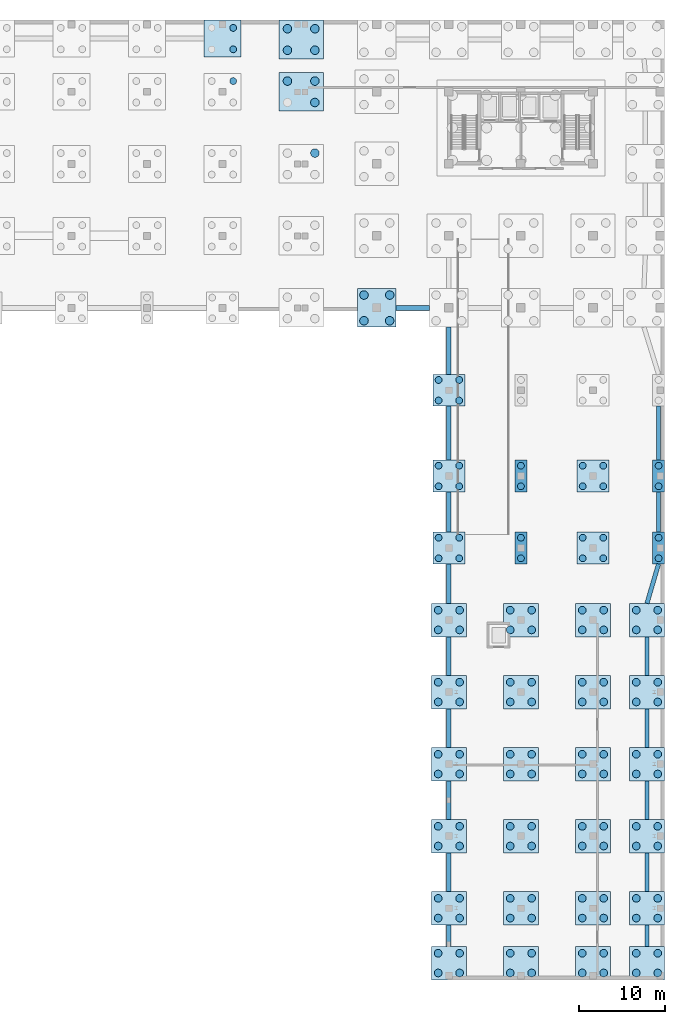
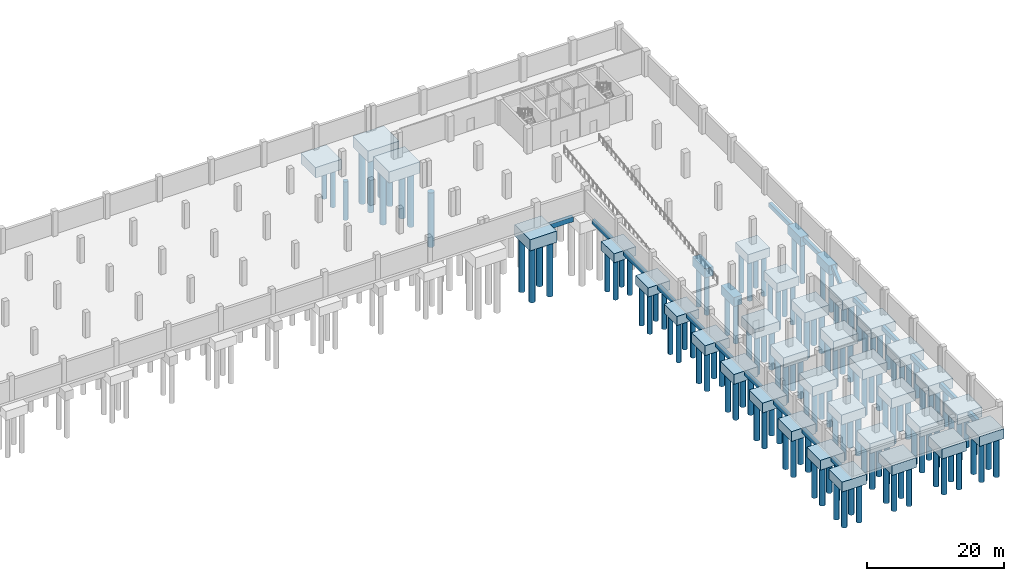
# One storey, part 3 of 18: 139 piles, 55 footings.
"""IFC4 building model written with IfcOpenShell, lengths in metres."""

from ifc_helpers import new_model, si_unit, direction, frame, origin, origin_2d, place, context, subcontext, project, spatial, rectangle, circle, extrude, material, material_profile, profile_set, type_object, element, save


model = new_model("IFC4")

# Units and contexts
model_context = context("Model", 3, precision=1e-05, world=origin(), true_north=direction((0.0, 1.0)))
body_context = subcontext(model_context, "Body", "Model", "MODEL_VIEW")
ifc_project = project(units=[si_unit("LENGTHUNIT", "METRE"), si_unit("AREAUNIT", "SQUARE_METRE"), si_unit("VOLUMEUNIT", "CUBIC_METRE"), si_unit("PLANEANGLEUNIT", "RADIAN"), si_unit("MASSUNIT", "GRAM", prefix="KILO")], contexts=[model_context])

# Site, building, storey
site_placement = place(None, origin())
site = spatial("IfcSite", under=ifc_project, at=site_placement, CompositionType="ELEMENT")
building_placement = place(site_placement, origin())
building = spatial("IfcBuilding", under=site, at=building_placement, Name="Brinegate Botanical Conservatory", CompositionType="ELEMENT")
storey_placement = place(building_placement, frame((0.0, 0.0, -9.60009765625)))
storey = spatial("IfcBuildingStorey", under=building, at=storey_placement, Name="B2", CompositionType="ELEMENT", Elevation=-9.60009765625)

# Footings
ifc_material = material(Name="Concrete C40/50", Category="concrete")
ifc_material_profile_1 = material_profile(ifc_material, rectangle(XDim=0.60009765625, YDim=0.89990234375, at=origin_2d()), Name="RC GB 600x900")
ifc_profile_set_1 = profile_set([ifc_material_profile_1], Name="Concrete C40/50")
footing_type_1 = type_object("IfcFootingType", Name="Footing_FB-01", PredefinedType="FOOTING_BEAM", material=ifc_profile_set_1)
footing_1_placement = place(storey_placement, frame((132.64990234375, 78.39990234375, -0.849853515625), z_axis=(1.0, 0.0, 0.0), x_axis=(0.0, 1.0, 0.0)))
element("IfcFooting", 1, at=footing_1_placement, inside=storey, type_object=footing_type_1, Name="Foundation tie beam K:17-18", PredefinedType="FOOTING_BEAM", context=body_context, shape_type="SweptSolid", body=[
    extrude(rectangle(XDim=0.60009765625, YDim=0.89990234375, at=origin_2d()), origin(), (0.0, 0.0, 1.0), 3.900146484375),
])
ifc_material_profile_2 = material_profile(ifc_material, rectangle(XDim=0.5, YDim=0.800048828125, at=origin_2d()), Name="RC GB 500x800")
ifc_profile_set_2 = profile_set([ifc_material_profile_2], Name="Concrete C40/50")
footing_type_2 = type_object("IfcFootingType", Name="Footing_FB-02", PredefinedType="FOOTING_BEAM", material=ifc_profile_set_2)
footing_2_placement = place(storey_placement, frame((138.800048828125, 3.949951171875, -0.7998046875), z_axis=(0.0, 1.0, 0.0), x_axis=(-1.0, 0.0, 0.0)))
element("IfcFooting", 2, at=footing_2_placement, inside=storey, type_object=footing_type_2, Name="Foundation tie beam 18:A-B", PredefinedType="FOOTING_BEAM", context=body_context, shape_type="SweptSolid", body=[
    extrude(rectangle(XDim=0.5, YDim=0.800048828125, at=origin_2d()), origin(), (0.0, 0.0, 1.0), 2.5),
])
for number, where, z_axis, x_axis, name in (
    (3, (138.800048828125, 10.35009765625, -0.7998046875), (0.0, 1.0, 0.0), (-1.0, 0.0, 0.0), "Foundation tie beam 18:B-C"),
    (4, (138.800048828125, 18.75, -0.7998046875), (0.0, 1.0, 0.0), (-1.0, 0.0, 0.0), "Foundation tie beam 18:C-D"),
    (5, (138.800048828125, 27.14990234375, -0.7998046875), (0.0, 1.0, 0.0), (-1.0, 0.0, 0.0), "Foundation tie beam 18:D-E"),
    (6, (138.800048828125, 35.550048828125, -0.7998046875), (0.0, 1.0, 0.0), (-1.0, 0.0, 0.0), "Foundation tie beam 18:E-F"),
):
    element("IfcFooting", number, at=place(storey_placement, frame(where, z_axis=z_axis, x_axis=x_axis)), inside=storey, type_object=footing_type_2, Name=name, PredefinedType="FOOTING_BEAM", context=body_context, shape_type="SweptSolid", body=[
        extrude(rectangle(XDim=0.5, YDim=0.800048828125, at=origin_2d()), origin(), (0.0, 0.0, 1.0), 4.5),
    ])
footing_3_placement = place(storey_placement, frame((138.800048828125, 43.949951171875, -0.7998046875), z_axis=(0.0, 1.0, 0.0), x_axis=(-1.0, 0.0, 0.0)))
element("IfcFooting", 7, at=footing_3_placement, inside=storey, type_object=footing_type_2, Name="Foundation tie beam 18:F-G", PredefinedType="FOOTING_BEAM", context=body_context, shape_type="SweptSolid", body=[
    extrude(rectangle(XDim=0.5, YDim=0.800048828125, at=origin_2d()), origin(), (0.0, 0.0, 1.0), 4.60009765625),
])
footing_4_placement = place(storey_placement, frame((138.800048828125, 52.25, -0.7998046875), z_axis=(0.0, 1.0, 0.0), x_axis=(-1.0, 0.0, 0.0)))
element("IfcFooting", 8, at=footing_4_placement, inside=storey, type_object=footing_type_2, Name="Foundation tie beam 18:G-H", PredefinedType="FOOTING_BEAM", context=body_context, shape_type="SweptSolid", body=[
    extrude(rectangle(XDim=0.5, YDim=0.800048828125, at=origin_2d()), origin(), (0.0, 0.0, 1.0), 4.699951171875),
])
footing_5_placement = place(storey_placement, frame((138.800048828125, 60.64990234375, -0.7998046875), z_axis=(0.0, 1.0, 0.0), x_axis=(-1.0, 0.0, 0.0)))
element("IfcFooting", 9, at=footing_5_placement, inside=storey, type_object=footing_type_2, Name="Foundation tie beam 18:H-J", PredefinedType="FOOTING_BEAM", context=body_context, shape_type="SweptSolid", body=[
    extrude(rectangle(XDim=0.5, YDim=0.800048828125, at=origin_2d()), origin(), (0.0, 0.0, 1.0), 6.300048828125),
])
footing_6_placement = place(storey_placement, frame((138.800048828125, 70.64990234375, -0.7998046875), z_axis=(0.0, 1.0, 0.0), x_axis=(-1.0, 0.0, 0.0)))
element("IfcFooting", 10, at=footing_6_placement, inside=storey, type_object=footing_type_2, Name="Foundation tie beam 18:J-K", PredefinedType="FOOTING_BEAM", context=body_context, shape_type="SweptSolid", body=[
    extrude(rectangle(XDim=0.5, YDim=0.800048828125, at=origin_2d()), origin(), (0.0, 0.0, 1.0), 5.5),
])
footing_7_placement = place(storey_placement, frame((161.89990234375, 3.949951171875, -0.7998046875), z_axis=(0.0, 1.0, 0.0), x_axis=(-1.0, 0.0, 0.0)))
element("IfcFooting", 11, at=footing_7_placement, inside=storey, type_object=footing_type_2, Name="Foundation tie beam 21:A-B", PredefinedType="FOOTING_BEAM", context=body_context, shape_type="SweptSolid", body=[
    extrude(rectangle(XDim=0.5, YDim=0.800048828125, at=origin_2d()), origin(), (0.0, 0.0, 1.0), 2.5),
])
for number, where, z_axis, x_axis, name in (
    (12, (161.89990234375, 10.35009765625, -0.7998046875), (0.0, 1.0, 0.0), (-1.0, 0.0, 0.0), "Foundation tie beam 21:B-C"),
    (13, (161.89990234375, 18.75, -0.7998046875), (0.0, 1.0, 0.0), (-1.0, 0.0, 0.0), "Foundation tie beam 21:C-D"),
    (14, (161.89990234375, 27.14990234375, -0.7998046875), (0.0, 1.0, 0.0), (-1.0, 0.0, 0.0), "Foundation tie beam 21:D-E"),
    (15, (161.89990234375, 35.550048828125, -0.7998046875), (0.0, 1.0, 0.0), (-1.0, 0.0, 0.0), "Foundation tie beam 21:E-F"),
):
    element("IfcFooting", number, at=place(storey_placement, frame(where, z_axis=z_axis, x_axis=x_axis)), inside=storey, type_object=footing_type_2, Name=name, PredefinedType="FOOTING_BEAM", context=body_context, shape_type="SweptSolid", body=[
        extrude(rectangle(XDim=0.5, YDim=0.800048828125, at=origin_2d()), origin(), (0.0, 0.0, 1.0), 4.5),
    ])
footing_8_placement = place(storey_placement, frame((161.89990234375, 43.949951171875, -0.7998046875), z_axis=(0.281614860947, 0.959527524406, 0.0), x_axis=(-0.959527524406, 0.281614860947, 0.0)))
element("IfcFooting", 16, at=footing_8_placement, inside=storey, type_object=footing_type_2, Name="Foundation tie beam 21:F-G", PredefinedType="FOOTING_BEAM", context=body_context, shape_type="SweptSolid", body=[
    extrude(rectangle(XDim=0.5, YDim=0.800048828125, at=origin_2d()), origin(), (0.0, 0.0, 1.0), 4.794189453125),
])
footing_9_placement = place(storey_placement, frame((163.25, 52.25, -0.7998046875), z_axis=(0.0, 1.0, 0.0), x_axis=(-1.0, 0.0, 0.0)))
element("IfcFooting", 17, at=footing_9_placement, inside=storey, type_object=footing_type_2, Name="Foundation tie beam 21:G-H", PredefinedType="FOOTING_BEAM", context=body_context, shape_type="SweptSolid", body=[
    extrude(rectangle(XDim=0.5, YDim=0.800048828125, at=origin_2d()), origin(), (0.0, 0.0, 1.0), 4.699951171875),
])
footing_10_placement = place(storey_placement, frame((163.25, 60.64990234375, -0.7998046875), z_axis=(0.0, 1.0, 0.0), x_axis=(-1.0, 0.0, 0.0)))
element("IfcFooting", 18, at=footing_10_placement, inside=storey, type_object=footing_type_2, Name="Foundation tie beam 21:H-J", PredefinedType="FOOTING_BEAM", context=body_context, shape_type="SweptSolid", body=[
    extrude(rectangle(XDim=0.5, YDim=0.800048828125, at=origin_2d()), origin(), (0.0, 0.0, 1.0), 6.300048828125),
])
footing_type_3 = type_object("IfcFootingType", Name="Footing_PC-02", PredefinedType="PILE_CAP", material=ifc_material)
for number, where, z_axis, x_axis, name in (
    (19, (147.199951171875, 50.39990234375, -2.0), (0.0, 0.0, 1.0), (1.0, 0.0, 0.0), "Pile cap PC-02 at G-19"),
    (20, (147.199951171875, 58.800048828125, -2.0), (0.0, 0.0, 1.0), (1.0, 0.0, 0.0), "Pile cap PC-02 at H-19"),
    (21, (163.25, 50.39990234375, -2.0), (0.0, 0.0, 1.0), (1.0, 0.0, 0.0), "Pile cap PC-02 at G-21"),
    (22, (163.25, 58.800048828125, -2.0), (0.0, 0.0, 1.0), (1.0, 0.0, 0.0), "Pile cap PC-02 at H-21"),
):
    element("IfcFooting", number, at=place(storey_placement, frame(where, z_axis=z_axis, x_axis=x_axis)), inside=storey, type_object=footing_type_3, Name=name, PredefinedType="PILE_CAP", context=body_context, shape_type="SweptSolid", body=[
        extrude(rectangle(XDim=1.39990234375, YDim=3.699951171875, at=origin_2d()), origin(), (0.0, 0.0, 1.0), 1.60009765625),
    ])
footing_type_4 = type_object("IfcFootingType", Name="Footing_PC-03", PredefinedType="PILE_CAP", material=ifc_material)
for number, where, z_axis, x_axis, name in (
    (23, (138.800048828125, 50.39990234375, -2.0), (0.0, 0.0, 1.0), (1.0, 0.0, 0.0), "Pile cap PC-03 at G-18"),
    (24, (138.800048828125, 58.800048828125, -2.0), (0.0, 0.0, 1.0), (1.0, 0.0, 0.0), "Pile cap PC-03 at H-18"),
    (25, (138.800048828125, 68.800048828125, -2.0), (0.0, 0.0, 1.0), (1.0, 0.0, 0.0), "Pile cap PC-03 at J-18"),
    (26, (155.60009765625, 50.39990234375, -2.0), (0.0, 0.0, 1.0), (1.0, 0.0, 0.0), "Pile cap PC-03 at G-20"),
    (27, (155.60009765625, 58.800048828125, -2.0), (0.0, 0.0, 1.0), (1.0, 0.0, 0.0), "Pile cap PC-03 at H-20"),
):
    element("IfcFooting", number, at=place(storey_placement, frame(where, z_axis=z_axis, x_axis=x_axis)), inside=storey, type_object=footing_type_4, Name=name, PredefinedType="PILE_CAP", context=body_context, shape_type="SweptSolid", body=[
        extrude(rectangle(XDim=3.699951171875, YDim=3.699951171875, at=origin_2d()), origin(), (0.0, 0.0, 1.0), 1.60009765625),
    ])
footing_type_5 = type_object("IfcFootingType", Name="Footing_PC-05", PredefinedType="PILE_CAP", material=ifc_material)
for number, where, z_axis, x_axis, name in (
    (28, (138.800048828125, 2.0, -2.14990234375), (0.0, 0.0, 1.0), (1.0, 0.0, 0.0), "Pile cap PC-05 at A-18"),
    (29, (138.800048828125, 8.39990234375, -2.14990234375), (0.0, 0.0, 1.0), (1.0, 0.0, 0.0), "Pile cap PC-05 at B-18"),
    (30, (138.800048828125, 16.800048828125, -2.14990234375), (0.0, 0.0, 1.0), (1.0, 0.0, 0.0), "Pile cap PC-05 at C-18"),
    (31, (138.800048828125, 25.199951171875, -2.14990234375), (0.0, 0.0, 1.0), (1.0, 0.0, 0.0), "Pile cap PC-05 at D-18"),
    (32, (138.800048828125, 33.60009765625, -2.14990234375), (0.0, 0.0, 1.0), (1.0, 0.0, 0.0), "Pile cap PC-05 at E-18"),
    (33, (138.800048828125, 42.0, -2.14990234375), (0.0, 0.0, 1.0), (1.0, 0.0, 0.0), "Pile cap PC-05 at F-18"),
    (34, (147.199951171875, 2.0, -2.14990234375), (0.0, 0.0, 1.0), (1.0, 0.0, 0.0), "Pile cap PC-05 at A-19"),
    (35, (147.199951171875, 8.39990234375, -2.14990234375), (0.0, 0.0, 1.0), (1.0, 0.0, 0.0), "Pile cap PC-05 at B-19"),
    (36, (147.199951171875, 16.800048828125, -2.14990234375), (0.0, 0.0, 1.0), (1.0, 0.0, 0.0), "Pile cap PC-05 at C-19"),
    (37, (147.199951171875, 25.199951171875, -2.14990234375), (0.0, 0.0, 1.0), (1.0, 0.0, 0.0), "Pile cap PC-05 at D-19"),
    (38, (147.199951171875, 33.60009765625, -2.14990234375), (0.0, 0.0, 1.0), (1.0, 0.0, 0.0), "Pile cap PC-05 at E-19"),
    (39, (147.199951171875, 42.0, -2.14990234375), (0.0, 0.0, 1.0), (1.0, 0.0, 0.0), "Pile cap PC-05 at F-19"),
    (40, (155.60009765625, 2.0, -2.14990234375), (0.0, 0.0, 1.0), (1.0, 0.0, 0.0), "Pile cap PC-05 at A-20"),
    (41, (155.60009765625, 8.39990234375, -2.14990234375), (0.0, 0.0, 1.0), (1.0, 0.0, 0.0), "Pile cap PC-05 at B-20"),
    (42, (155.60009765625, 16.800048828125, -2.14990234375), (0.0, 0.0, 1.0), (1.0, 0.0, 0.0), "Pile cap PC-05 at C-20"),
    (43, (155.60009765625, 25.199951171875, -2.14990234375), (0.0, 0.0, 1.0), (1.0, 0.0, 0.0), "Pile cap PC-05 at D-20"),
    (44, (155.60009765625, 33.60009765625, -2.14990234375), (0.0, 0.0, 1.0), (1.0, 0.0, 0.0), "Pile cap PC-05 at E-20"),
    (45, (155.60009765625, 42.0, -2.14990234375), (0.0, 0.0, 1.0), (1.0, 0.0, 0.0), "Pile cap PC-05 at F-20"),
    (46, (161.89990234375, 2.0, -2.14990234375), (0.0, 0.0, 1.0), (1.0, 0.0, 0.0), "Pile cap PC-05 at A-21"),
    (47, (161.89990234375, 8.39990234375, -2.14990234375), (0.0, 0.0, 1.0), (1.0, 0.0, 0.0), "Pile cap PC-05 at B-21"),
    (48, (161.89990234375, 16.800048828125, -2.14990234375), (0.0, 0.0, 1.0), (1.0, 0.0, 0.0), "Pile cap PC-05 at C-21"),
    (49, (161.89990234375, 25.199951171875, -2.14990234375), (0.0, 0.0, 1.0), (1.0, 0.0, 0.0), "Pile cap PC-05 at D-21"),
    (50, (161.89990234375, 33.60009765625, -2.14990234375), (0.0, 0.0, 1.0), (1.0, 0.0, 0.0), "Pile cap PC-05 at E-21"),
    (51, (161.89990234375, 42.0, -2.14990234375), (0.0, 0.0, 1.0), (1.0, 0.0, 0.0), "Pile cap PC-05 at F-21"),
):
    element("IfcFooting", number, at=place(storey_placement, frame(where, z_axis=z_axis, x_axis=x_axis)), inside=storey, type_object=footing_type_5, Name=name, PredefinedType="PILE_CAP", context=body_context, shape_type="SweptSolid", body=[
        extrude(rectangle(XDim=4.10009765625, YDim=3.89990234375, at=origin_2d()), origin(), (0.0, 0.0, 1.0), 1.75),
    ])
footing_type_6 = type_object("IfcFootingType", Name="Footing_PC-06", PredefinedType="PILE_CAP", material=ifc_material)
footing_11_placement = place(storey_placement, frame((112.39990234375, 109.800048828125, -2.25), z_axis=(0.0, 0.0, 1.0), x_axis=(1.0, 0.0, 0.0)))
element("IfcFooting", 52, at=footing_11_placement, inside=storey, type_object=footing_type_6, Name="Pile cap PC-06 at P-14", PredefinedType="PILE_CAP", context=body_context, shape_type="SweptSolid", body=[
    extrude(rectangle(XDim=4.300048828125, YDim=4.300048828125, at=origin_2d()), origin(), (0.0, 0.0, 1.0), 1.85009765625),
])
footing_type_7 = type_object("IfcFootingType", Name="Footing_PC-07", PredefinedType="PILE_CAP", material=ifc_material)
footing_12_placement = place(storey_placement, frame((130.39990234375, 78.39990234375, -2.39990234375), z_axis=(0.0, 0.0, 1.0), x_axis=(1.0, 0.0, 0.0)))
element("IfcFooting", 53, at=footing_12_placement, inside=storey, type_object=footing_type_7, Name="Pile cap PC-07 at K-17", PredefinedType="PILE_CAP", context=body_context, shape_type="SweptSolid", body=[
    extrude(rectangle(XDim=4.5, YDim=4.5, at=origin_2d()), origin(), (0.0, 0.0, 1.0), 2.0),
])
footing_type_8 = type_object("IfcFootingType", Name="Footing_PC-JT", PredefinedType="PILE_CAP", material=ifc_material)
for number, where, z_axis, x_axis, name in (
    (54, (121.574951171875, 103.60009765625, -2.39990234375), (0.0, 0.0, 1.0), (1.0, 0.0, 0.0), "Twin-column seismic joint pile cap PC-JT N"),
    (55, (121.574951171875, 109.699951171875, -2.39990234375), (0.0, 0.0, 1.0), (1.0, 0.0, 0.0), "Twin-column seismic joint pile cap PC-JT P"),
):
    element("IfcFooting", number, at=place(storey_placement, frame(where, z_axis=z_axis, x_axis=x_axis)), inside=storey, type_object=footing_type_8, Name=name, PredefinedType="PILE_CAP", context=body_context, shape_type="SweptSolid", body=[
        extrude(rectangle(XDim=5.199951171875, YDim=4.5, at=origin_2d()), origin(), (0.0, 0.0, 1.0), 2.0),
    ])

# Piles
ifc_material_profile_3 = material_profile(ifc_material, circle(Radius=0.5, at=origin_2d()), Name="PILE D1000")
ifc_profile_set_3 = profile_set([ifc_material_profile_3], Name="Concrete C40/50")
pile_type_1 = type_object("IfcPileType", Name="Pile_PL-1000", PredefinedType="BORED", material=ifc_profile_set_3)
for number, where, z_axis, x_axis, name in (
    (56, (123.175048828125, 96.449951171875, -2.2998046875), (0.0, 0.0, -1.0), (1.0, 0.0, 0.0), "Seismic joint bored pile M"),
    (57, (119.97509765625, 104.85009765625, -2.2998046875), (0.0, 0.0, -1.0), (1.0, 0.0, 0.0), "Seismic joint bored pile N"),
    (58, (123.175048828125, 102.35009765625, -2.2998046875), (0.0, 0.0, -1.0), (1.0, 0.0, 0.0), "Seismic joint bored pile N"),
    (59, (123.175048828125, 104.85009765625, -2.2998046875), (0.0, 0.0, -1.0), (1.0, 0.0, 0.0), "Seismic joint bored pile N"),
    (60, (119.97509765625, 108.449951171875, -2.2998046875), (0.0, 0.0, -1.0), (1.0, 0.0, 0.0), "Seismic joint bored pile P"),
    (61, (119.97509765625, 110.949951171875, -2.2998046875), (0.0, 0.0, -1.0), (1.0, 0.0, 0.0), "Seismic joint bored pile P"),
    (62, (123.175048828125, 108.449951171875, -2.2998046875), (0.0, 0.0, -1.0), (1.0, 0.0, 0.0), "Seismic joint bored pile P"),
    (63, (123.175048828125, 110.949951171875, -2.2998046875), (0.0, 0.0, -1.0), (1.0, 0.0, 0.0), "Seismic joint bored pile P"),
    (64, (128.89990234375, 76.89990234375, -2.2998046875), (0.0, 0.0, -1.0), (1.0, 0.0, 0.0), "Bored pile K-17.1"),
    (65, (131.89990234375, 76.89990234375, -2.2998046875), (0.0, 0.0, -1.0), (1.0, 0.0, 0.0), "Bored pile K-17.2"),
    (66, (128.89990234375, 79.89990234375, -2.2998046875), (0.0, 0.0, -1.0), (1.0, 0.0, 0.0), "Bored pile K-17.3"),
    (67, (131.89990234375, 79.89990234375, -2.2998046875), (0.0, 0.0, -1.0), (1.0, 0.0, 0.0), "Bored pile K-17.4"),
):
    element("IfcPile", number, at=place(storey_placement, frame(where, z_axis=z_axis, x_axis=x_axis)), inside=storey, type_object=pile_type_1, Name=name, PredefinedType="BORED", context=body_context, shape_type="SweptSolid", body=[
        extrude(circle(Radius=0.5, at=origin_2d()), origin(), (0.0, 0.0, 1.0), 9.699951171875),
    ])
ifc_material_profile_4 = material_profile(ifc_material, circle(Radius=0.39990234375, at=origin_2d()), Name="PILE D800")
ifc_profile_set_4 = profile_set([ifc_material_profile_4], Name="Concrete C40/50")
pile_type_2 = type_object("IfcPileType", Name="Pile_PL-800", PredefinedType="BORED", material=ifc_profile_set_4)
for number, where, z_axis, x_axis, name in (
    (68, (113.64990234375, 104.85009765625, -2.14990234375), (0.0, 0.0, -1.0), (1.0, 0.0, 0.0), "Bored pile N-14.4"),
    (69, (113.64990234375, 108.550048828125, -2.14990234375), (0.0, 0.0, -1.0), (1.0, 0.0, 0.0), "Bored pile P-14.2"),
    (70, (113.64990234375, 111.050048828125, -2.14990234375), (0.0, 0.0, -1.0), (1.0, 0.0, 0.0), "Bored pile P-14.4"),
):
    element("IfcPile", number, at=place(storey_placement, frame(where, z_axis=z_axis, x_axis=x_axis)), inside=storey, type_object=pile_type_2, Name=name, PredefinedType="BORED", context=body_context, shape_type="SweptSolid", body=[
        extrude(circle(Radius=0.39990234375, at=origin_2d()), origin(), (0.0, 0.0, 1.0), 6.85009765625),
    ])
for number, where, z_axis, x_axis, name in (
    (71, (137.60009765625, 49.199951171875, -1.89990234375), (0.0, 0.0, -1.0), (1.0, 0.0, 0.0), "Bored pile G-18.1"),
    (72, (140.0, 49.199951171875, -1.89990234375), (0.0, 0.0, -1.0), (1.0, 0.0, 0.0), "Bored pile G-18.2"),
    (73, (137.60009765625, 51.60009765625, -1.89990234375), (0.0, 0.0, -1.0), (1.0, 0.0, 0.0), "Bored pile G-18.3"),
    (74, (140.0, 51.60009765625, -1.89990234375), (0.0, 0.0, -1.0), (1.0, 0.0, 0.0), "Bored pile G-18.4"),
    (75, (137.60009765625, 57.60009765625, -1.89990234375), (0.0, 0.0, -1.0), (1.0, 0.0, 0.0), "Bored pile H-18.1"),
    (76, (140.0, 57.60009765625, -1.89990234375), (0.0, 0.0, -1.0), (1.0, 0.0, 0.0), "Bored pile H-18.2"),
    (77, (137.60009765625, 60.0, -1.89990234375), (0.0, 0.0, -1.0), (1.0, 0.0, 0.0), "Bored pile H-18.3"),
    (78, (140.0, 60.0, -1.89990234375), (0.0, 0.0, -1.0), (1.0, 0.0, 0.0), "Bored pile H-18.4"),
    (79, (137.60009765625, 67.60009765625, -1.89990234375), (0.0, 0.0, -1.0), (1.0, 0.0, 0.0), "Bored pile J-18.1"),
    (80, (140.0, 67.60009765625, -1.89990234375), (0.0, 0.0, -1.0), (1.0, 0.0, 0.0), "Bored pile J-18.2"),
    (81, (137.60009765625, 70.0, -1.89990234375), (0.0, 0.0, -1.0), (1.0, 0.0, 0.0), "Bored pile J-18.3"),
    (82, (140.0, 70.0, -1.89990234375), (0.0, 0.0, -1.0), (1.0, 0.0, 0.0), "Bored pile J-18.4"),
    (83, (147.199951171875, 49.199951171875, -1.89990234375), (0.0, 0.0, -1.0), (1.0, 0.0, 0.0), "Bored pile G-19.1"),
    (84, (147.199951171875, 51.60009765625, -1.89990234375), (0.0, 0.0, -1.0), (1.0, 0.0, 0.0), "Bored pile G-19.2"),
    (85, (147.199951171875, 57.60009765625, -1.89990234375), (0.0, 0.0, -1.0), (1.0, 0.0, 0.0), "Bored pile H-19.1"),
    (86, (147.199951171875, 60.0, -1.89990234375), (0.0, 0.0, -1.0), (1.0, 0.0, 0.0), "Bored pile H-19.2"),
    (87, (154.39990234375, 49.199951171875, -1.89990234375), (0.0, 0.0, -1.0), (1.0, 0.0, 0.0), "Bored pile G-20.1"),
    (88, (156.800048828125, 49.199951171875, -1.89990234375), (0.0, 0.0, -1.0), (1.0, 0.0, 0.0), "Bored pile G-20.2"),
    (89, (154.39990234375, 51.60009765625, -1.89990234375), (0.0, 0.0, -1.0), (1.0, 0.0, 0.0), "Bored pile G-20.3"),
    (90, (156.800048828125, 51.60009765625, -1.89990234375), (0.0, 0.0, -1.0), (1.0, 0.0, 0.0), "Bored pile G-20.4"),
    (91, (154.39990234375, 57.60009765625, -1.89990234375), (0.0, 0.0, -1.0), (1.0, 0.0, 0.0), "Bored pile H-20.1"),
    (92, (156.800048828125, 57.60009765625, -1.89990234375), (0.0, 0.0, -1.0), (1.0, 0.0, 0.0), "Bored pile H-20.2"),
    (93, (154.39990234375, 60.0, -1.89990234375), (0.0, 0.0, -1.0), (1.0, 0.0, 0.0), "Bored pile H-20.3"),
    (94, (156.800048828125, 60.0, -1.89990234375), (0.0, 0.0, -1.0), (1.0, 0.0, 0.0), "Bored pile H-20.4"),
    (95, (163.25, 49.199951171875, -1.89990234375), (0.0, 0.0, -1.0), (1.0, 0.0, 0.0), "Bored pile G-21.1"),
    (96, (163.25, 51.60009765625, -1.89990234375), (0.0, 0.0, -1.0), (1.0, 0.0, 0.0), "Bored pile G-21.2"),
    (97, (163.25, 57.60009765625, -1.89990234375), (0.0, 0.0, -1.0), (1.0, 0.0, 0.0), "Bored pile H-21.1"),
    (98, (163.25, 60.0, -1.89990234375), (0.0, 0.0, -1.0), (1.0, 0.0, 0.0), "Bored pile H-21.2"),
):
    element("IfcPile", number, at=place(storey_placement, frame(where, z_axis=z_axis, x_axis=x_axis)), inside=storey, type_object=pile_type_2, Name=name, PredefinedType="BORED", context=body_context, shape_type="SweptSolid", body=[
        extrude(circle(Radius=0.39990234375, at=origin_2d()), origin(), (0.0, 0.0, 1.0), 7.10009765625),
    ])
ifc_material_profile_5 = material_profile(ifc_material, circle(Radius=0.449951171875, at=origin_2d()), Name="PILE D900")
ifc_profile_set_5 = profile_set([ifc_material_profile_5], Name="Concrete C40/50")
pile_type_3 = type_object("IfcPileType", Name="Pile_PL-900", PredefinedType="BORED", material=ifc_profile_set_5)
for number, where, z_axis, x_axis, name in (
    (99, (137.550048828125, 0.85009765625, -2.0498046875), (0.0, 0.0, -1.0), (1.0, 0.0, 0.0), "Bored pile A-18.1"),
    (100, (140.050048828125, 0.85009765625, -2.0498046875), (0.0, 0.0, -1.0), (1.0, 0.0, 0.0), "Bored pile A-18.2"),
    (101, (137.550048828125, 3.14990234375, -2.0498046875), (0.0, 0.0, -1.0), (1.0, 0.0, 0.0), "Bored pile A-18.3"),
    (102, (140.050048828125, 3.14990234375, -2.0498046875), (0.0, 0.0, -1.0), (1.0, 0.0, 0.0), "Bored pile A-18.4"),
    (103, (137.550048828125, 7.25, -2.0498046875), (0.0, 0.0, -1.0), (1.0, 0.0, 0.0), "Bored pile B-18.1"),
    (104, (140.050048828125, 7.25, -2.0498046875), (0.0, 0.0, -1.0), (1.0, 0.0, 0.0), "Bored pile B-18.2"),
    (105, (137.550048828125, 9.550048828125, -2.0498046875), (0.0, 0.0, -1.0), (1.0, 0.0, 0.0), "Bored pile B-18.3"),
    (106, (140.050048828125, 9.550048828125, -2.0498046875), (0.0, 0.0, -1.0), (1.0, 0.0, 0.0), "Bored pile B-18.4"),
    (107, (137.550048828125, 15.64990234375, -2.0498046875), (0.0, 0.0, -1.0), (1.0, 0.0, 0.0), "Bored pile C-18.1"),
    (108, (140.050048828125, 15.64990234375, -2.0498046875), (0.0, 0.0, -1.0), (1.0, 0.0, 0.0), "Bored pile C-18.2"),
    (109, (137.550048828125, 17.949951171875, -2.0498046875), (0.0, 0.0, -1.0), (1.0, 0.0, 0.0), "Bored pile C-18.3"),
    (110, (140.050048828125, 17.949951171875, -2.0498046875), (0.0, 0.0, -1.0), (1.0, 0.0, 0.0), "Bored pile C-18.4"),
    (111, (137.550048828125, 24.050048828125, -2.0498046875), (0.0, 0.0, -1.0), (1.0, 0.0, 0.0), "Bored pile D-18.1"),
    (112, (140.050048828125, 24.050048828125, -2.0498046875), (0.0, 0.0, -1.0), (1.0, 0.0, 0.0), "Bored pile D-18.2"),
    (113, (137.550048828125, 26.35009765625, -2.0498046875), (0.0, 0.0, -1.0), (1.0, 0.0, 0.0), "Bored pile D-18.3"),
    (114, (140.050048828125, 26.35009765625, -2.0498046875), (0.0, 0.0, -1.0), (1.0, 0.0, 0.0), "Bored pile D-18.4"),
    (115, (137.550048828125, 32.449951171875, -2.0498046875), (0.0, 0.0, -1.0), (1.0, 0.0, 0.0), "Bored pile E-18.1"),
    (116, (140.050048828125, 32.449951171875, -2.0498046875), (0.0, 0.0, -1.0), (1.0, 0.0, 0.0), "Bored pile E-18.2"),
    (117, (137.550048828125, 34.75, -2.0498046875), (0.0, 0.0, -1.0), (1.0, 0.0, 0.0), "Bored pile E-18.3"),
    (118, (140.050048828125, 34.75, -2.0498046875), (0.0, 0.0, -1.0), (1.0, 0.0, 0.0), "Bored pile E-18.4"),
    (119, (137.550048828125, 40.85009765625, -2.0498046875), (0.0, 0.0, -1.0), (1.0, 0.0, 0.0), "Bored pile F-18.1"),
    (120, (140.050048828125, 40.85009765625, -2.0498046875), (0.0, 0.0, -1.0), (1.0, 0.0, 0.0), "Bored pile F-18.2"),
    (121, (137.550048828125, 43.14990234375, -2.0498046875), (0.0, 0.0, -1.0), (1.0, 0.0, 0.0), "Bored pile F-18.3"),
    (122, (140.050048828125, 43.14990234375, -2.0498046875), (0.0, 0.0, -1.0), (1.0, 0.0, 0.0), "Bored pile F-18.4"),
    (123, (145.949951171875, 0.85009765625, -2.0498046875), (0.0, 0.0, -1.0), (1.0, 0.0, 0.0), "Bored pile A-19.1"),
    (124, (148.449951171875, 0.85009765625, -2.0498046875), (0.0, 0.0, -1.0), (1.0, 0.0, 0.0), "Bored pile A-19.2"),
    (125, (145.949951171875, 3.14990234375, -2.0498046875), (0.0, 0.0, -1.0), (1.0, 0.0, 0.0), "Bored pile A-19.3"),
    (126, (148.449951171875, 3.14990234375, -2.0498046875), (0.0, 0.0, -1.0), (1.0, 0.0, 0.0), "Bored pile A-19.4"),
    (127, (145.949951171875, 7.25, -2.0498046875), (0.0, 0.0, -1.0), (1.0, 0.0, 0.0), "Bored pile B-19.1"),
    (128, (148.449951171875, 7.25, -2.0498046875), (0.0, 0.0, -1.0), (1.0, 0.0, 0.0), "Bored pile B-19.2"),
    (129, (145.949951171875, 9.550048828125, -2.0498046875), (0.0, 0.0, -1.0), (1.0, 0.0, 0.0), "Bored pile B-19.3"),
    (130, (148.449951171875, 9.550048828125, -2.0498046875), (0.0, 0.0, -1.0), (1.0, 0.0, 0.0), "Bored pile B-19.4"),
    (131, (145.949951171875, 15.64990234375, -2.0498046875), (0.0, 0.0, -1.0), (1.0, 0.0, 0.0), "Bored pile C-19.1"),
    (132, (148.449951171875, 15.64990234375, -2.0498046875), (0.0, 0.0, -1.0), (1.0, 0.0, 0.0), "Bored pile C-19.2"),
    (133, (145.949951171875, 17.949951171875, -2.0498046875), (0.0, 0.0, -1.0), (1.0, 0.0, 0.0), "Bored pile C-19.3"),
    (134, (148.449951171875, 17.949951171875, -2.0498046875), (0.0, 0.0, -1.0), (1.0, 0.0, 0.0), "Bored pile C-19.4"),
    (135, (145.949951171875, 24.050048828125, -2.0498046875), (0.0, 0.0, -1.0), (1.0, 0.0, 0.0), "Bored pile D-19.1"),
    (136, (148.449951171875, 24.050048828125, -2.0498046875), (0.0, 0.0, -1.0), (1.0, 0.0, 0.0), "Bored pile D-19.2"),
    (137, (145.949951171875, 26.35009765625, -2.0498046875), (0.0, 0.0, -1.0), (1.0, 0.0, 0.0), "Bored pile D-19.3"),
    (138, (148.449951171875, 26.35009765625, -2.0498046875), (0.0, 0.0, -1.0), (1.0, 0.0, 0.0), "Bored pile D-19.4"),
    (139, (145.949951171875, 32.449951171875, -2.0498046875), (0.0, 0.0, -1.0), (1.0, 0.0, 0.0), "Bored pile E-19.1"),
    (140, (148.449951171875, 32.449951171875, -2.0498046875), (0.0, 0.0, -1.0), (1.0, 0.0, 0.0), "Bored pile E-19.2"),
    (141, (145.949951171875, 34.75, -2.0498046875), (0.0, 0.0, -1.0), (1.0, 0.0, 0.0), "Bored pile E-19.3"),
    (142, (148.449951171875, 34.75, -2.0498046875), (0.0, 0.0, -1.0), (1.0, 0.0, 0.0), "Bored pile E-19.4"),
    (143, (145.949951171875, 40.85009765625, -2.0498046875), (0.0, 0.0, -1.0), (1.0, 0.0, 0.0), "Bored pile F-19.1"),
    (144, (148.449951171875, 40.85009765625, -2.0498046875), (0.0, 0.0, -1.0), (1.0, 0.0, 0.0), "Bored pile F-19.2"),
    (145, (145.949951171875, 43.14990234375, -2.0498046875), (0.0, 0.0, -1.0), (1.0, 0.0, 0.0), "Bored pile F-19.3"),
    (146, (148.449951171875, 43.14990234375, -2.0498046875), (0.0, 0.0, -1.0), (1.0, 0.0, 0.0), "Bored pile F-19.4"),
    (147, (154.35009765625, 0.85009765625, -2.0498046875), (0.0, 0.0, -1.0), (1.0, 0.0, 0.0), "Bored pile A-20.1"),
    (148, (156.85009765625, 0.85009765625, -2.0498046875), (0.0, 0.0, -1.0), (1.0, 0.0, 0.0), "Bored pile A-20.2"),
    (149, (154.35009765625, 3.14990234375, -2.0498046875), (0.0, 0.0, -1.0), (1.0, 0.0, 0.0), "Bored pile A-20.3"),
    (150, (156.85009765625, 3.14990234375, -2.0498046875), (0.0, 0.0, -1.0), (1.0, 0.0, 0.0), "Bored pile A-20.4"),
    (151, (154.35009765625, 7.25, -2.0498046875), (0.0, 0.0, -1.0), (1.0, 0.0, 0.0), "Bored pile B-20.1"),
    (152, (156.85009765625, 7.25, -2.0498046875), (0.0, 0.0, -1.0), (1.0, 0.0, 0.0), "Bored pile B-20.2"),
    (153, (154.35009765625, 9.550048828125, -2.0498046875), (0.0, 0.0, -1.0), (1.0, 0.0, 0.0), "Bored pile B-20.3"),
    (154, (156.85009765625, 9.550048828125, -2.0498046875), (0.0, 0.0, -1.0), (1.0, 0.0, 0.0), "Bored pile B-20.4"),
    (155, (154.35009765625, 15.64990234375, -2.0498046875), (0.0, 0.0, -1.0), (1.0, 0.0, 0.0), "Bored pile C-20.1"),
    (156, (156.85009765625, 15.64990234375, -2.0498046875), (0.0, 0.0, -1.0), (1.0, 0.0, 0.0), "Bored pile C-20.2"),
    (157, (154.35009765625, 17.949951171875, -2.0498046875), (0.0, 0.0, -1.0), (1.0, 0.0, 0.0), "Bored pile C-20.3"),
    (158, (156.85009765625, 17.949951171875, -2.0498046875), (0.0, 0.0, -1.0), (1.0, 0.0, 0.0), "Bored pile C-20.4"),
    (159, (154.35009765625, 24.050048828125, -2.0498046875), (0.0, 0.0, -1.0), (1.0, 0.0, 0.0), "Bored pile D-20.1"),
    (160, (156.85009765625, 24.050048828125, -2.0498046875), (0.0, 0.0, -1.0), (1.0, 0.0, 0.0), "Bored pile D-20.2"),
    (161, (154.35009765625, 26.35009765625, -2.0498046875), (0.0, 0.0, -1.0), (1.0, 0.0, 0.0), "Bored pile D-20.3"),
    (162, (156.85009765625, 26.35009765625, -2.0498046875), (0.0, 0.0, -1.0), (1.0, 0.0, 0.0), "Bored pile D-20.4"),
    (163, (154.35009765625, 32.449951171875, -2.0498046875), (0.0, 0.0, -1.0), (1.0, 0.0, 0.0), "Bored pile E-20.1"),
    (164, (156.85009765625, 32.449951171875, -2.0498046875), (0.0, 0.0, -1.0), (1.0, 0.0, 0.0), "Bored pile E-20.2"),
    (165, (154.35009765625, 34.75, -2.0498046875), (0.0, 0.0, -1.0), (1.0, 0.0, 0.0), "Bored pile E-20.3"),
    (166, (156.85009765625, 34.75, -2.0498046875), (0.0, 0.0, -1.0), (1.0, 0.0, 0.0), "Bored pile E-20.4"),
    (167, (154.35009765625, 40.85009765625, -2.0498046875), (0.0, 0.0, -1.0), (1.0, 0.0, 0.0), "Bored pile F-20.1"),
    (168, (156.85009765625, 40.85009765625, -2.0498046875), (0.0, 0.0, -1.0), (1.0, 0.0, 0.0), "Bored pile F-20.2"),
    (169, (154.35009765625, 43.14990234375, -2.0498046875), (0.0, 0.0, -1.0), (1.0, 0.0, 0.0), "Bored pile F-20.3"),
    (170, (156.85009765625, 43.14990234375, -2.0498046875), (0.0, 0.0, -1.0), (1.0, 0.0, 0.0), "Bored pile F-20.4"),
    (171, (160.64990234375, 0.85009765625, -2.0498046875), (0.0, 0.0, -1.0), (1.0, 0.0, 0.0), "Bored pile A-21.1"),
    (172, (163.14990234375, 0.85009765625, -2.0498046875), (0.0, 0.0, -1.0), (1.0, 0.0, 0.0), "Bored pile A-21.2"),
    (173, (160.64990234375, 3.14990234375, -2.0498046875), (0.0, 0.0, -1.0), (1.0, 0.0, 0.0), "Bored pile A-21.3"),
    (174, (163.14990234375, 3.14990234375, -2.0498046875), (0.0, 0.0, -1.0), (1.0, 0.0, 0.0), "Bored pile A-21.4"),
    (175, (160.64990234375, 7.25, -2.0498046875), (0.0, 0.0, -1.0), (1.0, 0.0, 0.0), "Bored pile B-21.1"),
    (176, (163.14990234375, 7.25, -2.0498046875), (0.0, 0.0, -1.0), (1.0, 0.0, 0.0), "Bored pile B-21.2"),
    (177, (160.64990234375, 9.550048828125, -2.0498046875), (0.0, 0.0, -1.0), (1.0, 0.0, 0.0), "Bored pile B-21.3"),
    (178, (163.14990234375, 9.550048828125, -2.0498046875), (0.0, 0.0, -1.0), (1.0, 0.0, 0.0), "Bored pile B-21.4"),
    (179, (160.64990234375, 15.64990234375, -2.0498046875), (0.0, 0.0, -1.0), (1.0, 0.0, 0.0), "Bored pile C-21.1"),
    (180, (163.14990234375, 15.64990234375, -2.0498046875), (0.0, 0.0, -1.0), (1.0, 0.0, 0.0), "Bored pile C-21.2"),
    (181, (160.64990234375, 17.949951171875, -2.0498046875), (0.0, 0.0, -1.0), (1.0, 0.0, 0.0), "Bored pile C-21.3"),
    (182, (163.14990234375, 17.949951171875, -2.0498046875), (0.0, 0.0, -1.0), (1.0, 0.0, 0.0), "Bored pile C-21.4"),
    (183, (160.64990234375, 24.050048828125, -2.0498046875), (0.0, 0.0, -1.0), (1.0, 0.0, 0.0), "Bored pile D-21.1"),
    (184, (163.14990234375, 24.050048828125, -2.0498046875), (0.0, 0.0, -1.0), (1.0, 0.0, 0.0), "Bored pile D-21.2"),
    (185, (160.64990234375, 26.35009765625, -2.0498046875), (0.0, 0.0, -1.0), (1.0, 0.0, 0.0), "Bored pile D-21.3"),
    (186, (163.14990234375, 26.35009765625, -2.0498046875), (0.0, 0.0, -1.0), (1.0, 0.0, 0.0), "Bored pile D-21.4"),
    (187, (160.64990234375, 32.449951171875, -2.0498046875), (0.0, 0.0, -1.0), (1.0, 0.0, 0.0), "Bored pile E-21.1"),
    (188, (163.14990234375, 32.449951171875, -2.0498046875), (0.0, 0.0, -1.0), (1.0, 0.0, 0.0), "Bored pile E-21.2"),
    (189, (160.64990234375, 34.75, -2.0498046875), (0.0, 0.0, -1.0), (1.0, 0.0, 0.0), "Bored pile E-21.3"),
    (190, (163.14990234375, 34.75, -2.0498046875), (0.0, 0.0, -1.0), (1.0, 0.0, 0.0), "Bored pile E-21.4"),
    (191, (160.64990234375, 40.85009765625, -2.0498046875), (0.0, 0.0, -1.0), (1.0, 0.0, 0.0), "Bored pile F-21.1"),
    (192, (163.14990234375, 40.85009765625, -2.0498046875), (0.0, 0.0, -1.0), (1.0, 0.0, 0.0), "Bored pile F-21.2"),
    (193, (160.64990234375, 43.14990234375, -2.0498046875), (0.0, 0.0, -1.0), (1.0, 0.0, 0.0), "Bored pile F-21.3"),
    (194, (163.14990234375, 43.14990234375, -2.0498046875), (0.0, 0.0, -1.0), (1.0, 0.0, 0.0), "Bored pile F-21.4"),
):
    element("IfcPile", number, at=place(storey_placement, frame(where, z_axis=z_axis, x_axis=x_axis)), inside=storey, type_object=pile_type_3, Name=name, PredefinedType="BORED", context=body_context, shape_type="SweptSolid", body=[
        extrude(circle(Radius=0.449951171875, at=origin_2d()), origin(), (0.0, 0.0, 1.0), 6.949951171875),
    ])

save(model, "model.ifc")
